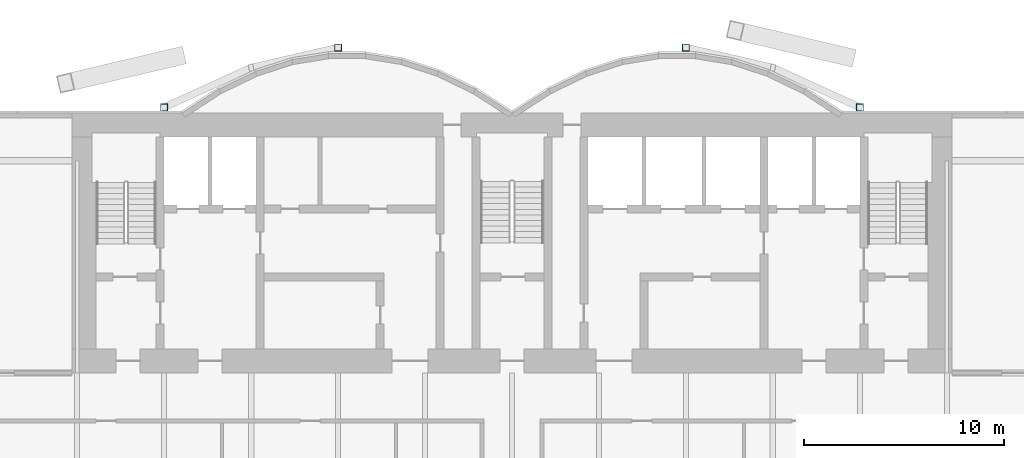
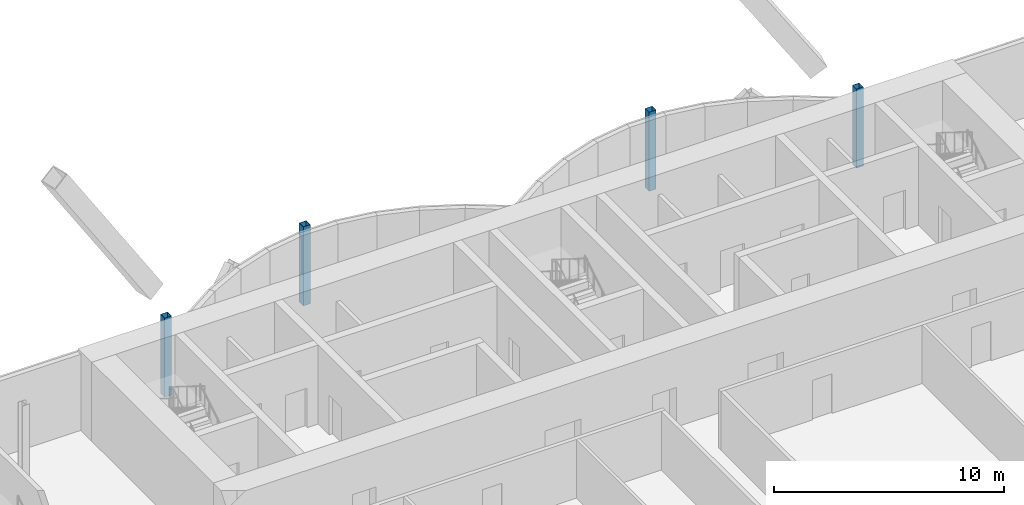
# One storey, part 3 of 23: 4 columns.
"""IFC4 building model written with IfcOpenShell, lengths in metres."""

from ifc_helpers import new_model, si_unit, direction, frame, origin, origin_2d, place, context, subcontext, project, spatial, hollow_rectangle, extrude, material, material_profile, profile_set, type_object, element, save


model = new_model("IFC4")

# Units and contexts
model_context = context("Model", 3, precision=1e-05, world=origin(), true_north=direction((0.0, 1.0)))
body_context = subcontext(model_context, "Body", "Model", "MODEL_VIEW")
ifc_project = project(units=[si_unit("LENGTHUNIT", "METRE"), si_unit("AREAUNIT", "SQUARE_METRE"), si_unit("VOLUMEUNIT", "CUBIC_METRE"), si_unit("PLANEANGLEUNIT", "RADIAN"), si_unit("MASSUNIT", "GRAM", prefix="KILO")], contexts=[model_context])

# Site, building, storey
site_placement = place(None, origin())
site = spatial("IfcSite", under=ifc_project, at=site_placement, CompositionType="ELEMENT")
building_placement = place(site_placement, origin())
building = spatial("IfcBuilding", under=site, at=building_placement, Name="Bicima Exchange Tower", CompositionType="ELEMENT")
storey_placement = place(building_placement, frame((0.0, 0.0, 262.39990234375)))
storey = spatial("IfcBuildingStorey", under=building, at=storey_placement, Name="L59", CompositionType="ELEMENT", Elevation=262.39990234375)

# Columns
ifc_material = material(Name="Steel ASTM A572 Gr 50", Category="steel")
ifc_material_profile = material_profile(ifc_material, hollow_rectangle(XDim=0.355712890625, YDim=0.355712890625, WallThickness=0.01171875, at=origin_2d()))
ifc_profile_set = profile_set([ifc_material_profile], Name="Steel ASTM A572 Gr 50")
column_type = type_object("IfcColumnType", Name="Rear pilaster HSS14x14x1/2", PredefinedType="COLUMN", material=ifc_profile_set)
for number, where, z_axis, x_axis, name in (
    (1, (-8.699951171875, 3.26904296875, 0.0), (0.0, 0.0, 1.0), (1.0, 0.0, 0.0), "Rear pilaster rexo-8.7r"),
    (2, (-17.39990234375, 0.278076171875, 0.0), (0.0, 0.0, 1.0), (1.0, 0.0, 0.0), "Rear pilaster rexo-17.4r"),
    (3, (8.699951171875, 3.26904296875, 0.0), (0.0, 0.0, 1.0), (1.0, 0.0, 0.0), "Rear pilaster rexo+8.7r"),
    (4, (17.39990234375, 0.278076171875, 0.0), (0.0, 0.0, 1.0), (1.0, 0.0, 0.0), "Rear pilaster rexo+17.4r"),
):
    element("IfcColumn", number, at=place(storey_placement, frame(where, z_axis=z_axis, x_axis=x_axis)), inside=storey, type_object=column_type, Name=name, PredefinedType="COLUMN", context=body_context, shape_type="SweptSolid", body=[
        extrude(hollow_rectangle(XDim=0.355712890625, YDim=0.355712890625, WallThickness=0.01171875, at=origin_2d()), origin(), (0.0, 0.0, 1.0), 4.2001953125),
    ])

save(model, "model.ifc")
